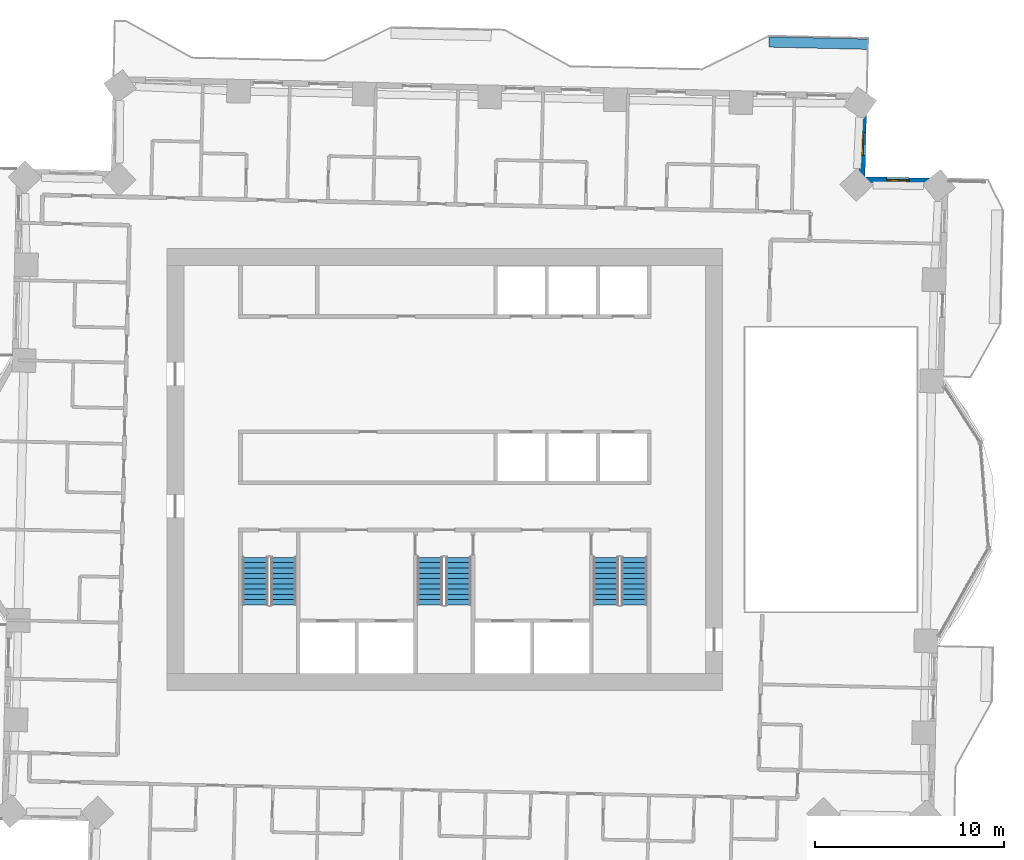
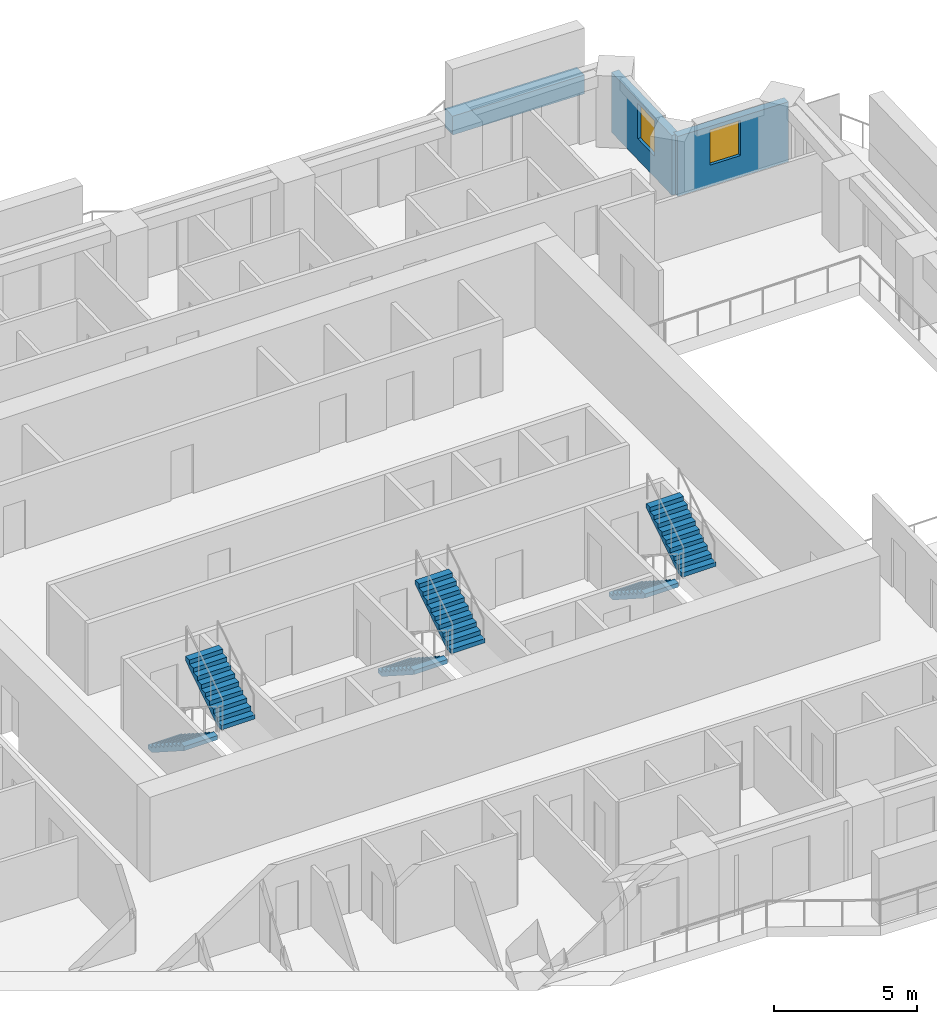
# One storey, part 10 of 14: 6 stair flights, 3 walls, 2 windows, 2 openings, 3 elements without a shape of their own.
"""IFC4 building model written with IfcOpenShell, lengths in metres."""

from ifc_helpers import new_model, si_unit, direction, frame, frame_2d, origin, place, context, subcontext, project, spatial, polyline, rectangle, outline, extrude, material, layer, layer_set, type_object, element, fill, aggregate, save


model = new_model("IFC4")

# Units and contexts
model_context = context("Model", 3, precision=1e-05, world=origin(), true_north=direction((0.0, 1.0)))
body_context = subcontext(model_context, "Body", "Model", "MODEL_VIEW")
ifc_project = project(units=[si_unit("LENGTHUNIT", "METRE"), si_unit("AREAUNIT", "SQUARE_METRE"), si_unit("VOLUMEUNIT", "CUBIC_METRE"), si_unit("PLANEANGLEUNIT", "RADIAN"), si_unit("MASSUNIT", "GRAM", prefix="KILO")], contexts=[model_context])

# Site, building, storey
site_placement = place(None, origin())
site = spatial("IfcSite", under=ifc_project, at=site_placement, CompositionType="ELEMENT")
building_placement = place(site_placement, origin())
building = spatial("IfcBuilding", under=site, at=building_placement, Name="Mangrove Gate Tower", CompositionType="ELEMENT")
storey_placement = place(building_placement, frame((0.0, 0.0, 163.5)))
storey = spatial("IfcBuildingStorey", under=building, at=storey_placement, Name="L41", CompositionType="ELEMENT", Elevation=163.5)

# Wall, opening, window
ifc_material_1 = material(Name="Limestone", Category="masonry")
ifc_layer_1 = layer(ifc_material_1, 0.0400390625, Name="Limestone cladding")
ifc_material_2 = material(Name="Ventilated air gap")
ifc_layer_2 = layer(ifc_material_2, 0.0400390625, Name="Ventilated cavity")
ifc_material_3 = material(Name="Mineral wool insulation")
ifc_layer_3 = layer(ifc_material_3, 0.06005859375, Name="Insulation")
ifc_material_4 = material(Name="Breather membrane")
ifc_layer_4 = layer(ifc_material_4, 0.001953125, Name="Breather membrane")
ifc_material_5 = material(Name="Concrete C20/25 blockwork", Category="masonry")
ifc_layer_5 = layer(ifc_material_5, 0.14990234375, Name="Blockwork backing wall")
ifc_material_6 = material(Name="Gypsum plaster")
ifc_layer_6 = layer(ifc_material_6, 0.008056640625, Name="Internal plaster")
ifc_layer_set_1 = layer_set([ifc_layer_1, ifc_layer_2, ifc_layer_3, ifc_layer_4, ifc_layer_5, ifc_layer_6], Name="External wall 300 limestone cladding")
wall_type_1 = type_object("IfcWallType", Name="External wall 300 limestone cladding", PredefinedType="SOLIDWALL", material=ifc_layer_set_1)
wall_1_placement = place(storey_placement, frame((26.47998046875, 15.239990234375, 0.0), z_axis=(0.0, 0.0, 1.0), x_axis=(-0.999741204967, 0.022749133868, 0.0)))
wall_1 = element("IfcWall", 1, at=wall_1_placement, inside=storey, type_object=wall_type_1, Name="WALL-L41-N3", PredefinedType="SOLIDWALL", context=body_context, shape_type="SweptSolid", body=[
    extrude(rectangle(XDim=4.400146484375, YDim=0.300048828125, at=frame_2d((2.2001953125, 0.0))), origin(), (0.0, 0.0, 1.0), 2.550048828125),
])
opening_1_placement = place(wall_1_placement, frame((1.909912109375, 0.0, 0.89990234375)))
opening_1 = element("IfcOpeningElement", 2, at=opening_1_placement, cuts=wall_1, Name="Opening W1", PredefinedType="OPENING", context=body_context, shape_type="SweptSolid", body=[
    extrude(rectangle(XDim=1.199951171875, YDim=1.5, at=frame_2d((0.60009765625, 0.75))), frame((0.0, 0.159912109375, 0.0), z_axis=(0.0, -1.0, 0.0), x_axis=(1.0, 0.0, 0.0)), (0.0, 0.0, 1.0), 0.320068359375),
])
ifc_material_7 = material(Name="Aluminium frame with double-glazed low-e glass", Category="aluminium")
window_type = type_object("IfcWindowType", Name="Side lite 1200x1500", PartitioningType="SINGLE_PANEL", PredefinedType="WINDOW", material=ifc_material_7)
window_1_placement = place(opening_1_placement, origin())
window_1 = element("IfcWindow", 3, at=window_1_placement, inside=storey, type_object=window_type, Name="WIN-L41-N3-1", OverallHeight=1.5, OverallWidth=1.199951171875, PartitioningType="SINGLE_PANEL", PredefinedType="WINDOW", context=body_context, shape_type="SweptSolid", body=[
    extrude(rectangle(XDim=1.199951171875, YDim=1.5, at=frame_2d((0.60009765625, 0.75))), frame((0.0, 0.030029296875, 0.0), z_axis=(0.0, -1.0, 0.0), x_axis=(1.0, 0.0, 0.0)), (0.0, 0.0, 1.0), 0.06005859375),
])
fill(opening_1, window_1)

wall_2_placement = place(storey_placement, frame((22.0810546875, 15.340087890625, 0.0), z_axis=(0.0, 0.0, 1.0), x_axis=(0.022693676786, 0.999742465355, 0.0)))
wall_2 = element("IfcWall", 4, at=wall_2_placement, inside=storey, type_object=wall_type_1, Name="WALL-L41-E4", PredefinedType="SOLIDWALL", context=body_context, shape_type="SweptSolid", body=[
    extrude(rectangle(XDim=4.400146484375, YDim=0.300048828125, at=frame_2d((2.2001953125, 0.0))), origin(), (0.0, 0.0, 1.0), 2.550048828125),
])
opening_2_placement = place(wall_2_placement, frame((1.277099609375, 0.0, 0.89990234375)))
opening_2 = element("IfcOpeningElement", 5, at=opening_2_placement, cuts=wall_2, Name="Opening W1", PredefinedType="OPENING", context=body_context, shape_type="SweptSolid", body=[
    extrude(rectangle(XDim=1.199951171875, YDim=1.5, at=frame_2d((0.60009765625, 0.75))), frame((0.0, 0.159912109375, 0.0), z_axis=(0.0, -1.0, 0.0), x_axis=(1.0, 0.0, 0.0)), (0.0, 0.0, 1.0), 0.320068359375),
])
window_2_placement = place(opening_2_placement, origin())
window_2 = element("IfcWindow", 6, at=window_2_placement, inside=storey, type_object=window_type, Name="WIN-L41-E4-1", OverallHeight=1.5, OverallWidth=1.199951171875, PartitioningType="SINGLE_PANEL", PredefinedType="WINDOW", context=body_context, shape_type="SweptSolid", body=[
    extrude(rectangle(XDim=1.199951171875, YDim=1.5, at=frame_2d((0.60009765625, 0.75))), frame((0.0, 0.030029296875, 0.0), z_axis=(0.0, -1.0, 0.0), x_axis=(1.0, 0.0, 0.0)), (0.0, 0.0, 1.0), 0.06005859375),
])
fill(opening_2, window_2)

# Wall
ifc_material_8 = material(Name="Concrete C32/40", Category="concrete")
ifc_layer_7 = layer(ifc_material_8, 0.199951171875, Name="Planter trough wall")
ifc_material_9 = material(Name="Bituminous waterproofing membrane")
ifc_layer_8 = layer(ifc_material_9, 0.0048828125, Name="Waterproofing")
ifc_material_10 = material(Name="Drainage board and gravel")
ifc_layer_9 = layer(ifc_material_10, 0.044921875, Name="Drainage layer")
ifc_material_11 = material(Name="Planting soil")
ifc_layer_10 = layer(ifc_material_11, 0.300048828125, Name="Growing medium")
ifc_layer_set_2 = layer_set([ifc_layer_7, ifc_layer_8, ifc_layer_9, ifc_layer_10], Name="Planter wall 550 C32/40")
wall_type_2 = type_object("IfcWallType", Name="Planter wall 550 C32/40", PredefinedType="USERDEFINED", material=ifc_layer_set_2)
wall_3_placement = place(storey_placement, frame((17.155029296875, 22.617919921875, 0.0), z_axis=(0.0, 0.0, 1.0), x_axis=(0.999742580615, -0.022688598572, 0.0)))
element("IfcWall", 7, at=wall_3_placement, inside=storey, type_object=wall_type_2, Name="PLANTER L41 N0.1", ObjectType="PLANTER", PredefinedType="USERDEFINED", context=body_context, shape_type="SweptSolid", body=[
    extrude(rectangle(XDim=5.240478515625, YDim=0.550048828125, at=frame_2d((2.6201171875, 0.0))), origin(), (0.0, 0.0, 1.0), 0.800048828125),
])

# Stair, stair flights
ifc_material_12 = material(Name="Concrete C40/50", Category="concrete")
stair_type = type_object("IfcStairType", Name="Core stair 1350", PredefinedType="HALF_TURN_STAIR", material=ifc_material_12)
stair_1_placement = place(storey_placement, origin())
stair_1 = element("IfcStair", 8, at=stair_1_placement, inside=storey, type_object=stair_type, Name="L41 Stair 1", PredefinedType="HALF_TURN_STAIR")
ifc_material_13 = material(Name="Concrete C40/50", Category="concrete")
stair_flight_type = type_object("IfcStairFlightType", Name="Core stair flight 1350", PredefinedType="STRAIGHT", material=ifc_material_13)
stair_flight_1_placement = place(storey_placement, frame((-10.02490234375, -4.64990234375, 0.0), z_axis=(0.0, 0.0, 1.0), x_axis=(0.0, -1.0, 0.0)))
stair_flight_1 = element("IfcStairFlight", 9, at=stair_flight_1_placement, type_object=stair_flight_type, Name="ST1 flight 1", NumberOfRisers=10, NumberOfTreads=9, PredefinedType="STRAIGHT", RiserHeight=0.18, TreadLength=0.28, context=body_context, shape_type="SweptSolid", body=[
    extrude(outline(polyline([(0.0, 0.0), (0.0, 0.179931640625), (0.280029296875, 0.179931640625), (0.280029296875, 0.360107421875), (0.56005859375, 0.360107421875), (0.56005859375, 0.5400390625), (0.840087890625, 0.5400390625), (0.840087890625, 0.719970703125), (1.1201171875, 0.719970703125), (1.1201171875, 0.89990234375), (1.39990234375, 0.89990234375), (1.39990234375, 1.080078125), (1.679931640625, 1.080078125), (1.679931640625, 1.260009765625), (1.9599609375, 1.260009765625), (1.9599609375, 1.43994140625), (2.239990234375, 1.43994140625), (2.239990234375, 1.6201171875), (2.52001953125, 1.6201171875), (2.52001953125, 1.800048828125), (2.52001953125, 1.44189453125), (0.277099609375, 0.0), (0.0, 0.0)])), frame((0.0, 0.675048828125, 0.0), z_axis=(0.0, -1.0, 0.0), x_axis=(1.0, 0.0, 0.0)), (0.0, 0.0, 1.0), 1.35009765625),
])
stair_flight_2_placement = place(storey_placement, frame((-8.52490234375, -7.169921875, 1.800048828125), z_axis=(0.0, 0.0, 1.0), x_axis=(0.0, 1.0, 0.0)))
stair_flight_2 = element("IfcStairFlight", 10, at=stair_flight_2_placement, type_object=stair_flight_type, Name="ST1 flight 2", NumberOfRisers=10, NumberOfTreads=9, PredefinedType="STRAIGHT", RiserHeight=0.18, TreadLength=0.28, context=body_context, shape_type="SweptSolid", body=[
    extrude(outline(polyline([(0.0, 0.0), (0.0, 0.179931640625), (0.280029296875, 0.179931640625), (0.280029296875, 0.360107421875), (0.56005859375, 0.360107421875), (0.56005859375, 0.5400390625), (0.840087890625, 0.5400390625), (0.840087890625, 0.719970703125), (1.1201171875, 0.719970703125), (1.1201171875, 0.89990234375), (1.39990234375, 0.89990234375), (1.39990234375, 1.080078125), (1.679931640625, 1.080078125), (1.679931640625, 1.260009765625), (1.9599609375, 1.260009765625), (1.9599609375, 1.43994140625), (2.239990234375, 1.43994140625), (2.239990234375, 1.6201171875), (2.52001953125, 1.6201171875), (2.52001953125, 1.800048828125), (2.52001953125, 1.44189453125), (0.277099609375, 0.0), (0.0, 0.0)])), frame((0.0, 0.675048828125, 0.0), z_axis=(0.0, -1.0, 0.0), x_axis=(1.0, 0.0, 0.0)), (0.0, 0.0, 1.0), 1.35009765625),
])
aggregate(stair_1, [stair_flight_1, stair_flight_2])

stair_2_placement = place(storey_placement, origin())
stair_2 = element("IfcStair", 11, at=stair_2_placement, inside=storey, type_object=stair_type, Name="L41 Stair 2", PredefinedType="HALF_TURN_STAIR")
stair_flight_3_placement = place(storey_placement, frame((-0.77490234375, -4.64990234375, 0.0), z_axis=(0.0, 0.0, 1.0), x_axis=(0.0, -1.0, 0.0)))
stair_flight_3 = element("IfcStairFlight", 12, at=stair_flight_3_placement, type_object=stair_flight_type, Name="ST2 flight 1", NumberOfRisers=10, NumberOfTreads=9, PredefinedType="STRAIGHT", RiserHeight=0.18, TreadLength=0.28, context=body_context, shape_type="SweptSolid", body=[
    extrude(outline(polyline([(0.0, 0.0), (0.0, 0.179931640625), (0.280029296875, 0.179931640625), (0.280029296875, 0.360107421875), (0.56005859375, 0.360107421875), (0.56005859375, 0.5400390625), (0.840087890625, 0.5400390625), (0.840087890625, 0.719970703125), (1.1201171875, 0.719970703125), (1.1201171875, 0.89990234375), (1.39990234375, 0.89990234375), (1.39990234375, 1.080078125), (1.679931640625, 1.080078125), (1.679931640625, 1.260009765625), (1.9599609375, 1.260009765625), (1.9599609375, 1.43994140625), (2.239990234375, 1.43994140625), (2.239990234375, 1.6201171875), (2.52001953125, 1.6201171875), (2.52001953125, 1.800048828125), (2.52001953125, 1.44189453125), (0.277099609375, 0.0), (0.0, 0.0)])), frame((0.0, 0.675048828125, 0.0), z_axis=(0.0, -1.0, 0.0), x_axis=(1.0, 0.0, 0.0)), (0.0, 0.0, 1.0), 1.35009765625),
])
stair_flight_4_placement = place(storey_placement, frame((0.72509765625, -7.169921875, 1.800048828125), z_axis=(0.0, 0.0, 1.0), x_axis=(0.0, 1.0, 0.0)))
stair_flight_4 = element("IfcStairFlight", 13, at=stair_flight_4_placement, type_object=stair_flight_type, Name="ST2 flight 2", NumberOfRisers=10, NumberOfTreads=9, PredefinedType="STRAIGHT", RiserHeight=0.18, TreadLength=0.28, context=body_context, shape_type="SweptSolid", body=[
    extrude(outline(polyline([(0.0, 0.0), (0.0, 0.179931640625), (0.280029296875, 0.179931640625), (0.280029296875, 0.360107421875), (0.56005859375, 0.360107421875), (0.56005859375, 0.5400390625), (0.840087890625, 0.5400390625), (0.840087890625, 0.719970703125), (1.1201171875, 0.719970703125), (1.1201171875, 0.89990234375), (1.39990234375, 0.89990234375), (1.39990234375, 1.080078125), (1.679931640625, 1.080078125), (1.679931640625, 1.260009765625), (1.9599609375, 1.260009765625), (1.9599609375, 1.43994140625), (2.239990234375, 1.43994140625), (2.239990234375, 1.6201171875), (2.52001953125, 1.6201171875), (2.52001953125, 1.800048828125), (2.52001953125, 1.44189453125), (0.277099609375, 0.0), (0.0, 0.0)])), frame((0.0, 0.675048828125, 0.0), z_axis=(0.0, -1.0, 0.0), x_axis=(1.0, 0.0, 0.0)), (0.0, 0.0, 1.0), 1.35009765625),
])
aggregate(stair_2, [stair_flight_3, stair_flight_4])

stair_3_placement = place(storey_placement, origin())
stair_3 = element("IfcStair", 14, at=stair_3_placement, inside=storey, type_object=stair_type, Name="L41 Stair 3", PredefinedType="HALF_TURN_STAIR")
stair_flight_5_placement = place(storey_placement, frame((8.52490234375, -4.64990234375, 0.0), z_axis=(0.0, 0.0, 1.0), x_axis=(0.0, -1.0, 0.0)))
stair_flight_5 = element("IfcStairFlight", 15, at=stair_flight_5_placement, type_object=stair_flight_type, Name="ST3 flight 1", NumberOfRisers=10, NumberOfTreads=9, PredefinedType="STRAIGHT", RiserHeight=0.18, TreadLength=0.28, context=body_context, shape_type="SweptSolid", body=[
    extrude(outline(polyline([(0.0, 0.0), (0.0, 0.179931640625), (0.280029296875, 0.179931640625), (0.280029296875, 0.360107421875), (0.56005859375, 0.360107421875), (0.56005859375, 0.5400390625), (0.840087890625, 0.5400390625), (0.840087890625, 0.719970703125), (1.1201171875, 0.719970703125), (1.1201171875, 0.89990234375), (1.39990234375, 0.89990234375), (1.39990234375, 1.080078125), (1.679931640625, 1.080078125), (1.679931640625, 1.260009765625), (1.9599609375, 1.260009765625), (1.9599609375, 1.43994140625), (2.239990234375, 1.43994140625), (2.239990234375, 1.6201171875), (2.52001953125, 1.6201171875), (2.52001953125, 1.800048828125), (2.52001953125, 1.44189453125), (0.277099609375, 0.0), (0.0, 0.0)])), frame((0.0, 0.675048828125, 0.0), z_axis=(0.0, -1.0, 0.0), x_axis=(1.0, 0.0, 0.0)), (0.0, 0.0, 1.0), 1.35009765625),
])
stair_flight_6_placement = place(storey_placement, frame((10.02490234375, -7.169921875, 1.800048828125), z_axis=(0.0, 0.0, 1.0), x_axis=(0.0, 1.0, 0.0)))
stair_flight_6 = element("IfcStairFlight", 16, at=stair_flight_6_placement, type_object=stair_flight_type, Name="ST3 flight 2", NumberOfRisers=10, NumberOfTreads=9, PredefinedType="STRAIGHT", RiserHeight=0.18, TreadLength=0.28, context=body_context, shape_type="SweptSolid", body=[
    extrude(outline(polyline([(0.0, 0.0), (0.0, 0.179931640625), (0.280029296875, 0.179931640625), (0.280029296875, 0.360107421875), (0.56005859375, 0.360107421875), (0.56005859375, 0.5400390625), (0.840087890625, 0.5400390625), (0.840087890625, 0.719970703125), (1.1201171875, 0.719970703125), (1.1201171875, 0.89990234375), (1.39990234375, 0.89990234375), (1.39990234375, 1.080078125), (1.679931640625, 1.080078125), (1.679931640625, 1.260009765625), (1.9599609375, 1.260009765625), (1.9599609375, 1.43994140625), (2.239990234375, 1.43994140625), (2.239990234375, 1.6201171875), (2.52001953125, 1.6201171875), (2.52001953125, 1.800048828125), (2.52001953125, 1.44189453125), (0.277099609375, 0.0), (0.0, 0.0)])), frame((0.0, 0.675048828125, 0.0), z_axis=(0.0, -1.0, 0.0), x_axis=(1.0, 0.0, 0.0)), (0.0, 0.0, 1.0), 1.35009765625),
])
aggregate(stair_3, [stair_flight_5, stair_flight_6])

save(model, "model.ifc")
